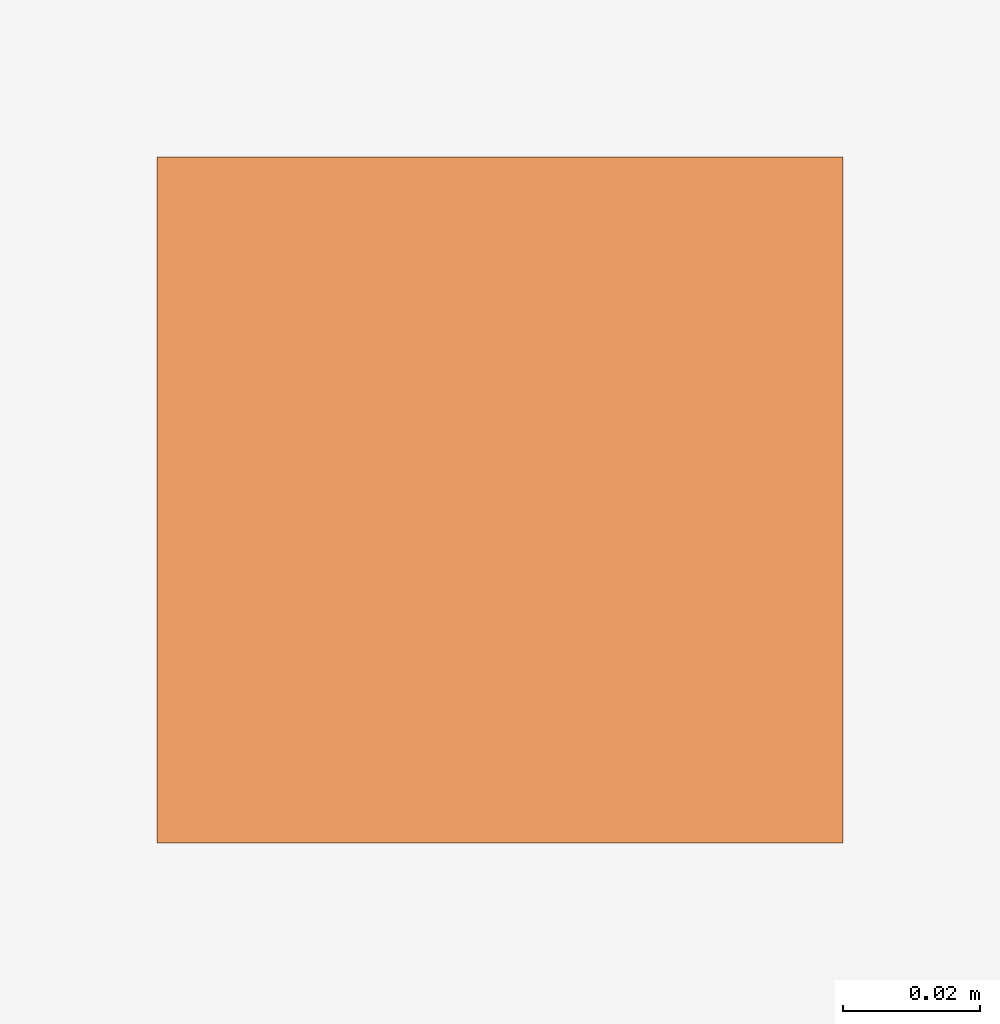
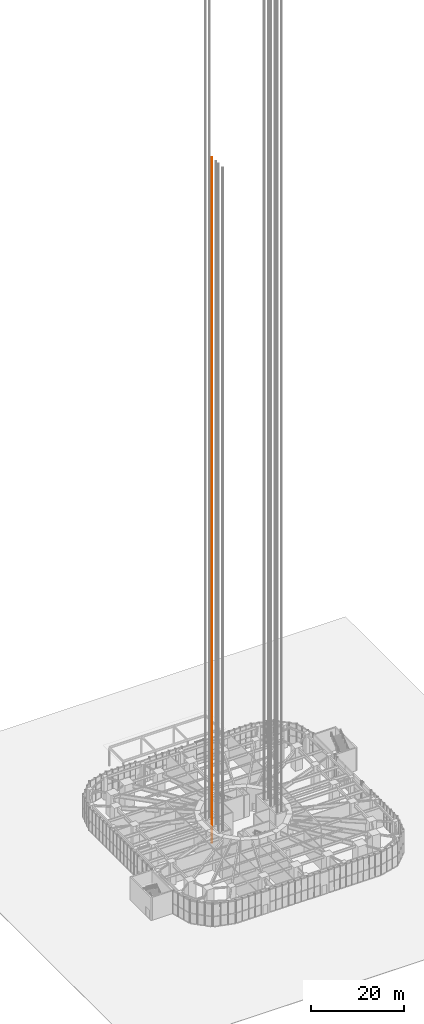
# One storey, part 35 of 43: 1 proxy.
"""IFC4 building model written with IfcOpenShell, lengths in metres."""

from ifc_helpers import new_model, si_unit, direction, frame, origin, origin_2d, place, context, subcontext, project, spatial, rectangle, extrude, material, type_object, element, save


model = new_model("IFC4")

# Units and contexts
model_context = context("Model", 3, precision=1e-05, world=origin(), true_north=direction((0.0, 1.0)))
body_context = subcontext(model_context, "Body", "Model", "MODEL_VIEW")
ifc_project = project(units=[si_unit("LENGTHUNIT", "METRE"), si_unit("AREAUNIT", "SQUARE_METRE"), si_unit("VOLUMEUNIT", "CUBIC_METRE"), si_unit("PLANEANGLEUNIT", "RADIAN"), si_unit("MASSUNIT", "GRAM", prefix="KILO")], contexts=[model_context])

# Site, building, storey
site_placement = place(None, origin())
site = spatial("IfcSite", under=ifc_project, at=site_placement, CompositionType="ELEMENT")
building_placement = place(site_placement, origin())
building = spatial("IfcBuilding", under=site, at=building_placement, Name="Nakasero Lantern House", CompositionType="ELEMENT")
storey_placement = place(building_placement, origin())
storey = spatial("IfcBuildingStorey", under=building, at=storey_placement, Name="L00", CompositionType="ELEMENT", Elevation=0.0)

# Proxy
ifc_material = material(Name="Steel S355", Category="steel")
building_element_proxy_type = type_object("IfcBuildingElementProxyType", Name="Lift guide rail", PredefinedType="ELEMENT", material=ifc_material)
proxy_placement = place(storey_placement, frame((-7.300048828125, 0.89990234375, 0.0), z_axis=(0.0, 0.0, 1.0), x_axis=(1.0, 0.0, 0.0)))
element("IfcBuildingElementProxy", 1, at=proxy_placement, inside=storey, type_object=building_element_proxy_type, Name="Guide rail PLW2 2", PredefinedType="ELEMENT", context=body_context, shape_type="SweptSolid", body=[
    extrude(rectangle(XDim=0.10009765625, YDim=0.10009765625, at=origin_2d()), origin(), (0.0, 0.0, 1.0), 180.050048828125),
])

save(model, "model.ifc")
